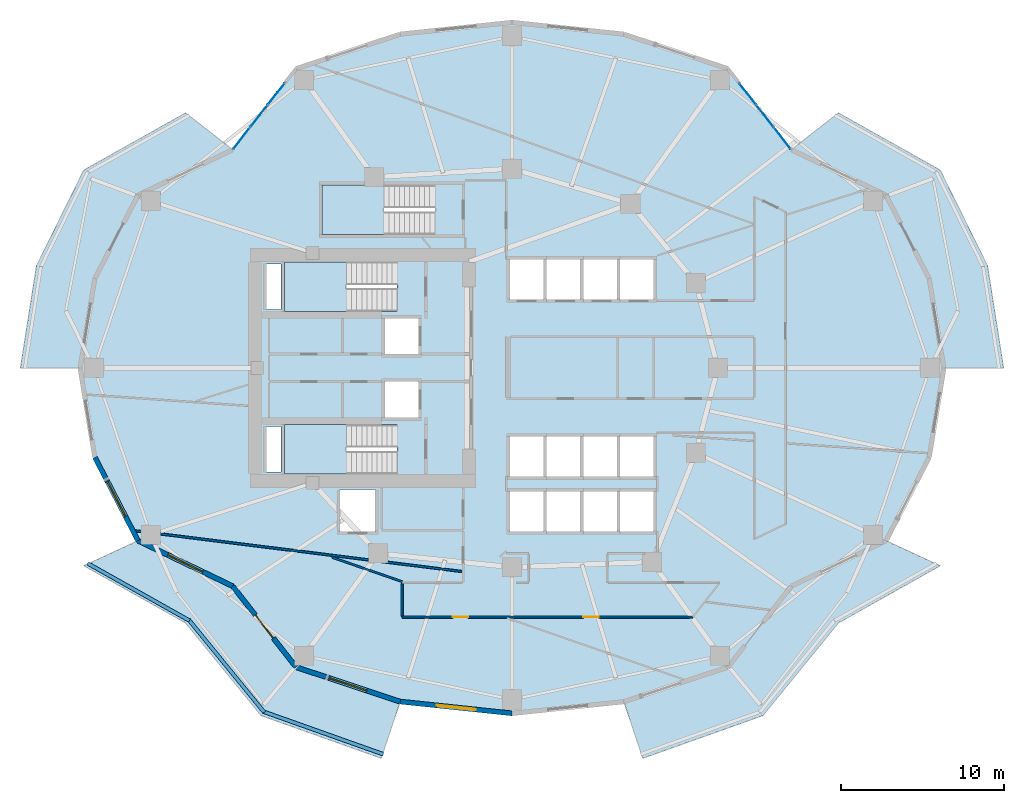
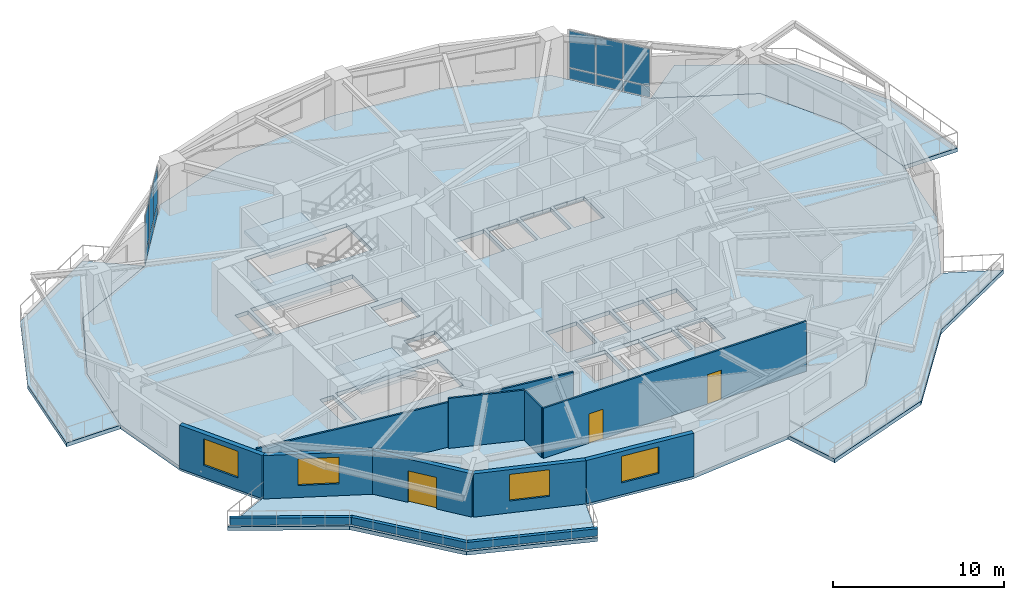
# One storey, part 4 of 12: 14 plates, 12 walls, 8 slabs, 4 windows, 3 doors, 7 openings, 5 elements without a shape of their own.
"""IFC4 building model written with IfcOpenShell, lengths in metres."""

from ifc_helpers import new_model, si_unit, direction, frame, frame_2d, origin, origin_2d, place, context, subcontext, project, spatial, polyline, rectangle, outline, extrude, material, layer, layer_set, type_object, element, fill, aggregate, save


model = new_model("IFC4")

# Units and contexts
model_context = context("Model", 3, precision=1e-05, world=origin(), true_north=direction((0.0, 1.0)))
body_context = subcontext(model_context, "Body", "Model", "MODEL_VIEW")
ifc_project = project(units=[si_unit("LENGTHUNIT", "METRE"), si_unit("AREAUNIT", "SQUARE_METRE"), si_unit("VOLUMEUNIT", "CUBIC_METRE"), si_unit("PLANEANGLEUNIT", "RADIAN"), si_unit("MASSUNIT", "GRAM", prefix="KILO")], contexts=[model_context])

# Site, building, storey
site_placement = place(None, origin())
site = spatial("IfcSite", under=ifc_project, at=site_placement, CompositionType="ELEMENT")
building_placement = place(site_placement, origin())
building = spatial("IfcBuilding", under=site, at=building_placement, Name="Kolvaren Gate Tower and Convention Centre", CompositionType="ELEMENT")
storey_placement = place(building_placement, frame((0.0, 0.0, 84.25)))
storey = spatial("IfcBuildingStorey", under=building, at=storey_placement, Name="L20", CompositionType="ELEMENT", Elevation=84.25)

# Plates
ifc_material_1 = material(Name="Perforated Anodized Bronze Aluminium Sheet 6 mm", Category="aluminium")
ifc_layer_1 = layer(ifc_material_1, 0.011962890625)
ifc_layer_set_1 = layer_set([ifc_layer_1], Name="Perforated Anodized Bronze Aluminium Sheet 6 mm")
plate_type_1 = type_object("IfcPlateType", Name="ARCH-PL-SCREEN-PERF", PredefinedType="SHEET", material=ifc_layer_set_1)
for number, where, z_axis, x_axis, name in (
    (1, (45.283935546875, 42.83837890625, 2.72998046875), (0.0, 0.0, 1.0), (0.616431370541, -0.787408639407, 0.0), "Tower L20 Perforated Bronze Solar Screen SS-03"),
    (2, (14.96630859375, 42.83837890625, 2.72998046875), (0.0, 0.0, 1.0), (0.61644236478, 0.787400032325, 0.0), "Tower L20 Perforated Bronze Solar Screen SS-08"),
):
    element("IfcPlate", number, at=place(storey_placement, frame(where, z_axis=z_axis, x_axis=x_axis)), inside=storey, type_object=plate_type_1, Name=name, PredefinedType="SHEET", context=body_context, shape_type="SweptSolid", body=[
        extrude(rectangle(XDim=2.60009765625, YDim=0.011962890625, at=origin_2d()), origin(), (0.0, 0.0, 1.0), 0.840087890625),
    ])

# Curtain wall, plates
ifc_material_2 = material(Name="Anodized Architectural Aluminium Alloy 6063-T6", Category="aluminium")
ifc_layer_2 = layer(ifc_material_2, 0.159912109375)
ifc_layer_set_2 = layer_set([ifc_layer_2], Name="Anodized Architectural Aluminium Alloy 6063-T6")
curtain_wall_type = type_object("IfcCurtainWallType", Name="CW-OFF-UNIT", PredefinedType="NOTDEFINED", material=ifc_layer_set_2)
curtain_wall_1_placement = place(storey_placement, origin())
curtain_wall_1 = element("IfcCurtainWall", 3, at=curtain_wall_1_placement, inside=storey, type_object=curtain_wall_type, Name="Tower L20 Unitised Curtain Wall CW-OFF-UNIT Bay 03", PredefinedType="NOTDEFINED")
ifc_material_3 = material(Name="Low-E Triple Insulated Glazing Unit 44 mm", Category="glass")
ifc_layer_3 = layer(ifc_material_3, 0.0439453125)
ifc_layer_set_3 = layer_set([ifc_layer_3], Name="Low-E Triple Insulated Glazing Unit 44 mm")
plate_type_2 = type_object("IfcPlateType", Name="CW-PL-IGU-44", PredefinedType="CURTAIN_PANEL", material=ifc_layer_set_3)
plate_1_placement = place(storey_placement, frame((44.55322265625, 43.771484375, 0.882568359375), z_axis=(0.0, 0.0, 1.0), x_axis=(0.61643432946, -0.787406322976, 0.0)))
plate_1 = element("IfcPlate", 4, at=plate_1_placement, type_object=plate_type_2, Name="CW-02 panel 1.2", PredefinedType="CURTAIN_PANEL", context=body_context, shape_type="SweptSolid", body=[
    extrude(rectangle(XDim=1.641845703125, YDim=0.0439453125, at=origin_2d()), origin(), (0.0, 0.0, 1.0), 2.62255859375),
])
plate_2_placement = place(storey_placement, frame((45.615478515625, 42.41455078125, 0.882568359375), z_axis=(0.0, 0.0, 1.0), x_axis=(0.61643432946, -0.787406322976, 0.0)))
plate_2 = element("IfcPlate", 5, at=plate_2_placement, type_object=plate_type_2, Name="CW-02 panel 2.2", PredefinedType="CURTAIN_PANEL", context=body_context, shape_type="SweptSolid", body=[
    extrude(rectangle(XDim=1.674560546875, YDim=0.0439453125, at=origin_2d()), origin(), (0.0, 0.0, 1.0), 2.62255859375),
])
plate_3_placement = place(storey_placement, frame((46.677734375, 41.0576171875, 0.882568359375), z_axis=(0.0, 0.0, 1.0), x_axis=(0.61643432946, -0.787406322976, 0.0)))
plate_3 = element("IfcPlate", 6, at=plate_3_placement, type_object=plate_type_2, Name="CW-02 panel 3.2", PredefinedType="CURTAIN_PANEL", context=body_context, shape_type="SweptSolid", body=[
    extrude(rectangle(XDim=1.641845703125, YDim=0.0439453125, at=origin_2d()), origin(), (0.0, 0.0, 1.0), 2.62255859375),
])

curtain_wall_2_placement = place(storey_placement, origin())
curtain_wall_2 = element("IfcCurtainWall", 7, at=curtain_wall_2_placement, inside=storey, type_object=curtain_wall_type, Name="Tower L20 Unitised Curtain Wall CW-OFF-UNIT Bay 08", PredefinedType="NOTDEFINED")
plate_4_placement = place(storey_placement, frame((13.572265625, 41.0576171875, 0.882568359375), z_axis=(0.0, 0.0, 1.0), x_axis=(0.616438471527, 0.787403080271, 0.0)))
plate_4 = element("IfcPlate", 8, at=plate_4_placement, type_object=plate_type_2, Name="CW-02 panel 1.2", PredefinedType="CURTAIN_PANEL", context=body_context, shape_type="SweptSolid", body=[
    extrude(rectangle(XDim=1.641845703125, YDim=0.0439453125, at=origin_2d()), origin(), (0.0, 0.0, 1.0), 2.62255859375),
])
plate_5_placement = place(storey_placement, frame((14.634521484375, 42.41455078125, 0.882568359375), z_axis=(0.0, 0.0, 1.0), x_axis=(0.616438471527, 0.787403080271, 0.0)))
plate_5 = element("IfcPlate", 9, at=plate_5_placement, type_object=plate_type_2, Name="CW-02 panel 2.2", PredefinedType="CURTAIN_PANEL", context=body_context, shape_type="SweptSolid", body=[
    extrude(rectangle(XDim=1.67431640625, YDim=0.0439453125, at=origin_2d()), origin(), (0.0, 0.0, 1.0), 2.62255859375),
])
plate_6_placement = place(storey_placement, frame((15.696533203125, 43.771240234375, 0.882568359375), z_axis=(0.0, 0.0, 1.0), x_axis=(0.616438471527, 0.787403080271, 0.0)))
plate_6 = element("IfcPlate", 10, at=plate_6_placement, type_object=plate_type_2, Name="CW-02 panel 3.2", PredefinedType="CURTAIN_PANEL", context=body_context, shape_type="SweptSolid", body=[
    extrude(rectangle(XDim=1.641845703125, YDim=0.0439453125, at=origin_2d()), origin(), (0.0, 0.0, 1.0), 2.62255859375),
])

# Plate
ifc_material_4 = material(Name="Solar-Control Laminated Curtain Glazing 36 mm", Category="glass")
ifc_layer_4 = layer(ifc_material_4, 0.035888671875)
ifc_layer_set_4 = layer_set([ifc_layer_4], Name="Solar-Control Laminated Curtain Glazing 36 mm")
plate_type_3 = type_object("IfcPlateType", Name="CW-PL-SPAN-36", PredefinedType="CURTAIN_PANEL", material=ifc_layer_set_4)
plate_7_placement = place(storey_placement, frame((44.55322265625, 43.771484375, 0.06494140625), z_axis=(0.0, 0.0, 1.0), x_axis=(0.61643432946, -0.787406322976, 0.0)))
plate_7 = element("IfcPlate", 11, at=plate_7_placement, type_object=plate_type_3, Name="CW-02 panel 1.1", PredefinedType="CURTAIN_PANEL", context=body_context, shape_type="SweptSolid", body=[
    extrude(rectangle(XDim=1.641845703125, YDim=0.035888671875, at=origin_2d()), origin(), (0.0, 0.0, 1.0), 0.75244140625),
])

plate_8_placement = place(storey_placement, frame((45.615478515625, 42.41455078125, 0.06494140625), z_axis=(0.0, 0.0, 1.0), x_axis=(0.61643432946, -0.787406322976, 0.0)))
plate_8 = element("IfcPlate", 12, at=plate_8_placement, type_object=plate_type_3, Name="CW-02 panel 2.1", PredefinedType="CURTAIN_PANEL", context=body_context, shape_type="SweptSolid", body=[
    extrude(rectangle(XDim=1.674560546875, YDim=0.035888671875, at=origin_2d()), origin(), (0.0, 0.0, 1.0), 0.75244140625),
])

plate_9_placement = place(storey_placement, frame((46.677734375, 41.0576171875, 0.06494140625), z_axis=(0.0, 0.0, 1.0), x_axis=(0.61643432946, -0.787406322976, 0.0)))
plate_9 = element("IfcPlate", 13, at=plate_9_placement, type_object=plate_type_3, Name="CW-02 panel 3.1", PredefinedType="CURTAIN_PANEL", context=body_context, shape_type="SweptSolid", body=[
    extrude(rectangle(XDim=1.641845703125, YDim=0.035888671875, at=origin_2d()), origin(), (0.0, 0.0, 1.0), 0.75244140625),
])

aggregate(curtain_wall_1, [plate_7, plate_1, plate_8, plate_2, plate_9, plate_3])

plate_10_placement = place(storey_placement, frame((13.572265625, 41.0576171875, 0.06494140625), z_axis=(0.0, 0.0, 1.0), x_axis=(0.616438471527, 0.787403080271, 0.0)))
plate_10 = element("IfcPlate", 14, at=plate_10_placement, type_object=plate_type_3, Name="CW-02 panel 1.1", PredefinedType="CURTAIN_PANEL", context=body_context, shape_type="SweptSolid", body=[
    extrude(rectangle(XDim=1.641845703125, YDim=0.035888671875, at=origin_2d()), origin(), (0.0, 0.0, 1.0), 0.75244140625),
])

plate_11_placement = place(storey_placement, frame((14.634521484375, 42.41455078125, 0.06494140625), z_axis=(0.0, 0.0, 1.0), x_axis=(0.616438471527, 0.787403080271, 0.0)))
plate_11 = element("IfcPlate", 15, at=plate_11_placement, type_object=plate_type_3, Name="CW-02 panel 2.1", PredefinedType="CURTAIN_PANEL", context=body_context, shape_type="SweptSolid", body=[
    extrude(rectangle(XDim=1.67431640625, YDim=0.035888671875, at=origin_2d()), origin(), (0.0, 0.0, 1.0), 0.75244140625),
])

plate_12_placement = place(storey_placement, frame((15.696533203125, 43.771240234375, 0.06494140625), z_axis=(0.0, 0.0, 1.0), x_axis=(0.616438471527, 0.787403080271, 0.0)))
plate_12 = element("IfcPlate", 16, at=plate_12_placement, type_object=plate_type_3, Name="CW-02 panel 3.1", PredefinedType="CURTAIN_PANEL", context=body_context, shape_type="SweptSolid", body=[
    extrude(rectangle(XDim=1.641845703125, YDim=0.035888671875, at=origin_2d()), origin(), (0.0, 0.0, 1.0), 0.75244140625),
])

aggregate(curtain_wall_2, [plate_10, plate_4, plate_11, plate_5, plate_12, plate_6])

# Slabs
ifc_material_5 = material(Name="Concrete C50/60", Category="concrete")
ifc_layer_5 = layer(ifc_material_5, 0.27001953125)
ifc_layer_set_5 = layer_set([ifc_layer_5], Name="Concrete C50/60")
slab_type_1 = type_object("IfcSlabType", Name="STR-SL-BALC-270", PredefinedType="FLOOR", material=ifc_layer_set_5)
slab_1_placement = place(storey_placement, frame((0.0, 0.0, -0.27001953125)))
element("IfcSlab", 17, at=slab_1_placement, inside=storey, type_object=slab_type_1, Name="Tower L20 Planted Balcony Terrace Slab 1 (East)", PredefinedType="FLOOR", context=body_context, shape_type="SweptSolid", body=[
    extrude(outline(polyline([(56.5625, 27.0), (55.66162109375, 32.47412109375), (53.0205078125, 37.574951171875), (47.223876953125, 40.360107421875), (50.10791015625, 42.613525390625), (56.34326171875, 39.109619140625), (59.240478515625, 33.2412109375), (60.222412109375, 27.0), (56.5625, 27.0)])), origin(), (0.0, 0.0, 1.0), 0.27001953125),
])
slab_2_placement = place(storey_placement, frame((0.0, 0.0, -0.27001953125)))
element("IfcSlab", 18, at=slab_2_placement, inside=storey, type_object=slab_type_1, Name="Tower L20 Planted Balcony Terrace Slab 2 (West)", PredefinedType="FLOOR", context=body_context, shape_type="SweptSolid", body=[
    extrude(outline(polyline([(13.026123046875, 40.360107421875), (7.2294921875, 37.574951171875), (4.58837890625, 32.47412109375), (3.6875, 27.0), (0.027587890625, 27.0), (1.009521484375, 33.2412109375), (3.90673828125, 39.109619140625), (10.14208984375, 42.613525390625), (13.026123046875, 40.360107421875)])), origin(), (0.0, 0.0, 1.0), 0.27001953125),
])
slab_3_placement = place(storey_placement, frame((0.0, 0.0, -0.27001953125)))
element("IfcSlab", 19, at=slab_3_placement, inside=storey, type_object=slab_type_1, Name="Tower L20 Planted Balcony Terrace Slab 3 (South)", PredefinedType="FLOOR", context=body_context, shape_type="SweptSolid", body=[
    extrude(outline(polyline([(7.2294921875, 16.425048828125), (13.026123046875, 13.639892578125), (16.90625, 8.68359375), (23.282470703125, 6.57080078125), (22.1201171875, 3.10009765625), (14.764404296875, 5.7158203125), (10.14208984375, 11.386474609375), (3.90673828125, 14.890380859375), (7.2294921875, 16.425048828125)])), origin(), (0.0, 0.0, 1.0), 0.27001953125),
])
slab_4_placement = place(storey_placement, frame((0.0, 0.0, -0.27001953125)))
element("IfcSlab", 20, at=slab_4_placement, inside=storey, type_object=slab_type_1, Name="Tower L20 Planted Balcony Terrace Slab 4 (South)", PredefinedType="FLOOR", context=body_context, shape_type="SweptSolid", body=[
    extrude(outline(polyline([(36.967529296875, 6.57080078125), (43.34375, 8.68359375), (47.223876953125, 13.639892578125), (53.0205078125, 16.425048828125), (56.34326171875, 14.890380859375), (50.10791015625, 11.386474609375), (45.485595703125, 5.7158203125), (38.1298828125, 3.10009765625), (36.967529296875, 6.57080078125)])), origin(), (0.0, 0.0, 1.0), 0.27001953125),
])
ifc_layer_6 = layer(ifc_material_5, 0.280029296875)
ifc_layer_set_6 = layer_set([ifc_layer_6], Name="Concrete C50/60")
slab_type_2 = type_object("IfcSlabType", Name="STR-SL-FLR-280", PredefinedType="FLOOR", material=ifc_layer_set_6)
slab_5_placement = place(storey_placement, frame((0.0, 0.0, -0.280029296875)))
element("IfcSlab", 21, at=slab_5_placement, inside=storey, type_object=slab_type_2, Name="Tower L20 Structural Floor Slab", PredefinedType="FLOOR", context=body_context, shape_type="SweptSolid", body=[
    extrude(outline(polyline([(56.5625, 27.0), (55.66162109375, 32.47412109375), (53.0205078125, 37.574951171875), (47.223876953125, 40.360107421875), (43.34375, 45.31640625), (36.967529296875, 47.42919921875), (30.125, 48.14990234375), (23.282470703125, 47.42919921875), (16.90625, 45.31640625), (13.026123046875, 40.360107421875), (7.2294921875, 37.574951171875), (4.58837890625, 32.47412109375), (3.6875, 27.0), (4.58837890625, 21.52587890625), (7.2294921875, 16.425048828125), (13.026123046875, 13.639892578125), (16.90625, 8.68359375), (23.282470703125, 6.57080078125), (30.125, 5.85009765625), (36.967529296875, 6.57080078125), (43.34375, 8.68359375), (47.223876953125, 13.639892578125), (53.0205078125, 16.425048828125), (55.66162109375, 21.52587890625), (56.5625, 27.0)]), holes=[polyline([(36.75, 33.64990234375), (38.800048828125, 33.64990234375), (38.800048828125, 31.199951171875), (36.75, 31.199951171875), (36.75, 33.64990234375)]), polyline([(36.75, 20.35009765625), (36.75, 22.800048828125), (38.800048828125, 22.800048828125), (38.800048828125, 20.35009765625), (36.75, 20.35009765625)]), polyline([(36.75, 17.0), (36.75, 19.449951171875), (38.800048828125, 19.449951171875), (38.800048828125, 17.0), (36.75, 17.0)]), polyline([(34.5, 33.64990234375), (36.550048828125, 33.64990234375), (36.550048828125, 31.199951171875), (34.5, 31.199951171875), (34.5, 33.64990234375)]), polyline([(34.5, 22.800048828125), (36.550048828125, 22.800048828125), (36.550048828125, 20.35009765625), (34.5, 20.35009765625), (34.5, 22.800048828125)]), polyline([(34.5, 17.0), (34.5, 19.449951171875), (36.550048828125, 19.449951171875), (36.550048828125, 17.0), (34.5, 17.0)]), polyline([(32.25, 31.199951171875), (32.25, 33.64990234375), (34.300048828125, 33.64990234375), (34.300048828125, 31.199951171875), (32.25, 31.199951171875)]), polyline([(32.25, 22.800048828125), (34.300048828125, 22.800048828125), (34.300048828125, 20.35009765625), (32.25, 20.35009765625), (32.25, 22.800048828125)]), polyline([(32.25, 17.0), (32.25, 19.449951171875), (34.300048828125, 19.449951171875), (34.300048828125, 17.0), (32.25, 17.0)]), polyline([(30.0, 31.199951171875), (30.0, 33.64990234375), (32.050048828125, 33.64990234375), (32.050048828125, 31.199951171875), (30.0, 31.199951171875)]), polyline([(30.0, 20.35009765625), (30.0, 22.800048828125), (32.050048828125, 22.800048828125), (32.050048828125, 20.35009765625), (30.0, 20.35009765625)]), polyline([(30.0, 17.0), (30.0, 19.449951171875), (32.050048828125, 19.449951171875), (32.050048828125, 17.0), (30.0, 17.0)]), polyline([(25.39990234375, 35.159912109375), (18.5, 35.159912109375), (18.5, 38.199951171875), (25.39990234375, 38.199951171875), (25.39990234375, 35.159912109375)]), polyline([(22.35009765625, 27.840087890625), (22.35009765625, 30.0400390625), (24.39990234375, 30.0400390625), (24.39990234375, 27.840087890625), (22.35009765625, 27.840087890625)]), polyline([(22.35009765625, 23.9599609375), (22.35009765625, 26.159912109375), (24.39990234375, 26.159912109375), (24.39990234375, 23.9599609375), (22.35009765625, 23.9599609375)]), polyline([(23.10009765625, 30.4599609375), (16.199951171875, 30.4599609375), (16.199951171875, 33.5), (23.10009765625, 33.5), (23.10009765625, 30.4599609375)]), polyline([(23.10009765625, 20.5), (16.199951171875, 20.5), (16.199951171875, 23.5400390625), (23.10009765625, 23.5400390625), (23.10009765625, 20.5)]), polyline([(19.60009765625, 17.0), (19.60009765625, 19.550048828125), (21.75, 19.550048828125), (21.75, 17.0), (19.60009765625, 17.0)]), polyline([(15.080078125, 23.419921875), (15.969970703125, 23.419921875), (15.969970703125, 20.6298828125), (15.080078125, 20.6298828125), (15.080078125, 23.419921875)]), polyline([(15.080078125, 30.580078125), (15.080078125, 33.3701171875), (15.969970703125, 33.3701171875), (15.969970703125, 30.580078125), (15.080078125, 30.580078125)])]), origin(), (0.0, 0.0, 1.0), 0.280029296875),
])

# Stair, slab
stair_type = type_object("IfcStairType", Name="STR-STAIR-CORE", PredefinedType="HALF_TURN_STAIR", material=ifc_material_5)
stair_1_placement = place(storey_placement, origin())
stair_1 = element("IfcStair", 22, at=stair_1_placement, inside=storey, type_object=stair_type, Name="L20 Tower North Exit Stair ST-T1", PredefinedType="HALF_TURN_STAIR")
ifc_layer_7 = layer(ifc_material_5, 0.199951171875)
ifc_layer_set_7 = layer_set([ifc_layer_7], Name="Concrete C50/60")
slab_type_3 = type_object("IfcSlabType", Name="STR-SL-LAND-200", PredefinedType="LANDING", material=ifc_layer_set_7)
slab_6_placement = place(storey_placement, frame((0.0, 0.0, 1.72509765625)))
slab_6 = element("IfcSlab", 23, at=slab_6_placement, type_object=slab_type_3, Name="ST-T1 landing 1", PredefinedType="LANDING", context=body_context, shape_type="SweptSolid", body=[
    extrude(outline(polyline([(20.0, 33.5), (16.199951171875, 33.5), (16.199951171875, 30.4599609375), (20.0, 30.4599609375), (20.0, 33.5)])), origin(), (0.0, 0.0, 1.0), 0.199951171875),
])
aggregate(stair_1, [slab_6])

stair_2_placement = place(storey_placement, origin())
stair_2 = element("IfcStair", 24, at=stair_2_placement, inside=storey, type_object=stair_type, Name="L20 Tower South Exit Stair ST-T2", PredefinedType="HALF_TURN_STAIR")
slab_7_placement = place(storey_placement, frame((0.0, 0.0, 1.72509765625)))
slab_7 = element("IfcSlab", 25, at=slab_7_placement, type_object=slab_type_3, Name="ST-T2 landing 1", PredefinedType="LANDING", context=body_context, shape_type="SweptSolid", body=[
    extrude(outline(polyline([(20.0, 23.5400390625), (16.199951171875, 23.5400390625), (16.199951171875, 20.5), (20.0, 20.5), (20.0, 23.5400390625)])), origin(), (0.0, 0.0, 1.0), 0.199951171875),
])
aggregate(stair_2, [slab_7])

stair_3_placement = place(storey_placement, origin())
stair_3 = element("IfcStair", 26, at=stair_3_placement, inside=storey, type_object=stair_type, Name="L20 Tower Mid-Zone Exit Stair ST-T3", PredefinedType="HALF_TURN_STAIR")
slab_8_placement = place(storey_placement, frame((0.0, 0.0, 1.72509765625)))
slab_8 = element("IfcSlab", 27, at=slab_8_placement, type_object=slab_type_3, Name="ST-T3 landing 1", PredefinedType="LANDING", context=body_context, shape_type="SweptSolid", body=[
    extrude(outline(polyline([(22.300048828125, 38.199951171875), (18.5, 38.199951171875), (18.5, 35.159912109375), (22.300048828125, 35.159912109375), (22.300048828125, 38.199951171875)])), origin(), (0.0, 0.0, 1.0), 0.199951171875),
])
aggregate(stair_3, [slab_8])

# Wall, openings, doors
ifc_material_6 = material(Name="Fire-Rated Acoustic Gypsum Stud Partition", Category="gypsum")
ifc_layer_8 = layer(ifc_material_6, 0.1201171875)
ifc_layer_set_8 = layer_set([ifc_layer_8], Name="Fire-Rated Acoustic Gypsum Stud Partition")
wall_type_1 = type_object("IfcWallType", Name="ARCH-WL-PART-120", PredefinedType="PARTITIONING", material=ifc_layer_set_8)
wall_1_placement = place(storey_placement, frame((23.39990234375, 11.75, 0.0), z_axis=(0.0, 0.0, 1.0), x_axis=(1.0, 0.0, 0.0)))
wall_1 = element("IfcWall", 28, at=wall_1_placement, inside=storey, type_object=wall_type_1, Name="Interior Partition WL-L20-INT-024", PredefinedType="PARTITIONING", context=body_context, shape_type="SweptSolid", body=[
    extrude(rectangle(XDim=17.798095703125, YDim=0.1201171875, at=frame_2d((8.89892578125, 0.0))), origin(), (0.0, 0.0, 1.0), 3.570068359375),
])
opening_1_placement = place(wall_1_placement, frame((3.09375, 0.0, 0.0)))
opening_1 = element("IfcOpeningElement", 29, at=opening_1_placement, cuts=wall_1, Name="Opening DR-01", PredefinedType="OPENING", context=body_context, shape_type="SweptSolid", body=[
    extrude(rectangle(XDim=0.949951171875, YDim=2.10009765625, at=frame_2d((0.47509765625, 1.050048828125))), frame((0.0, 0.070068359375, 0.0), z_axis=(0.0, -1.0, 0.0), x_axis=(1.0, 0.0, 0.0)), (0.0, 0.0, 1.0), 0.14013671875),
])
opening_2_placement = place(wall_1_placement, frame((11.09130859375, 0.0, 0.0)))
opening_2 = element("IfcOpeningElement", 30, at=opening_2_placement, cuts=wall_1, Name="Opening DR-01", PredefinedType="OPENING", context=body_context, shape_type="SweptSolid", body=[
    extrude(rectangle(XDim=0.949951171875, YDim=2.10009765625, at=frame_2d((0.47509765625, 1.050048828125))), frame((0.0, 0.070068359375, 0.0), z_axis=(0.0, -1.0, 0.0), x_axis=(1.0, 0.0, 0.0)), (0.0, 0.0, 1.0), 0.14013671875),
])
ifc_material_7 = material(Name="Painted Architectural Steelwork ASTM A500 Grade C 345 MPa", Category="steel")
door_type_1 = type_object("IfcDoorType", Name="ARCH-DR-RISER-950", OperationType="SINGLE_SWING_RIGHT", PredefinedType="DOOR", material=ifc_material_7)
door_1_placement = place(opening_1_placement, origin())
door_1 = element("IfcDoor", 31, at=door_1_placement, inside=storey, type_object=door_type_1, Name="Operations Support Staff Centre Door", OperationType="SINGLE_SWING_LEFT", OverallHeight=2.10009765625, OverallWidth=0.949951171875, PredefinedType="DOOR", context=body_context, shape_type="SweptSolid", body=[
    extrude(rectangle(XDim=0.949951171875, YDim=2.10009765625, at=frame_2d((0.47509765625, 1.050048828125))), frame((0.0, 0.02490234375, 0.0), z_axis=(0.0, -1.0, 0.0), x_axis=(1.0, 0.0, 0.0)), (0.0, 0.0, 1.0), 0.050048828125),
])
fill(opening_1, door_1)
door_2_placement = place(opening_2_placement, origin())
door_2 = element("IfcDoor", 32, at=door_2_placement, inside=storey, type_object=door_type_1, Name="First-Aid Crew Room Door", OperationType="SINGLE_SWING_RIGHT", OverallHeight=2.10009765625, OverallWidth=0.949951171875, PredefinedType="DOOR", context=body_context, shape_type="SweptSolid", body=[
    extrude(rectangle(XDim=0.949951171875, YDim=2.10009765625, at=frame_2d((0.47509765625, 1.050048828125))), frame((0.0, 0.02490234375, 0.0), z_axis=(0.0, -1.0, 0.0), x_axis=(1.0, 0.0, 0.0)), (0.0, 0.0, 1.0), 0.050048828125),
])
fill(opening_2, door_2)

# Walls
wall_2_placement = place(storey_placement, frame((23.39990234375, 11.81201171875, 0.0), z_axis=(0.0, 0.0, 1.0), x_axis=(0.0, 1.0, 0.0)))
element("IfcWall", 33, at=wall_2_placement, inside=storey, type_object=wall_type_1, Name="Interior Partition WL-L20-INT-025", PredefinedType="PARTITIONING", context=body_context, shape_type="SweptSolid", body=[
    extrude(rectangle(XDim=1.97607421875, YDim=0.1201171875, at=frame_2d((0.988037109375, 0.0))), origin(), (0.0, 0.0, 1.0), 3.570068359375),
])
wall_3_placement = place(storey_placement, frame((7.08935546875, 17.0263671875, 0.0), z_axis=(0.0, 0.0, 1.0), x_axis=(0.992316064114, -0.123728852337, 0.0)))
element("IfcWall", 34, at=wall_3_placement, inside=storey, type_object=wall_type_1, Name="Interior Partition WL-L20-INT-045", PredefinedType="PARTITIONING", context=body_context, shape_type="SweptSolid", body=[
    extrude(rectangle(XDim=20.138427734375, YDim=0.1201171875, at=frame_2d((10.0693359375, 0.0))), origin(), (0.0, 0.0, 1.0), 3.205078125),
])
wall_4_placement = place(storey_placement, frame((19.11865234375, 15.403564453125, 0.0), z_axis=(0.0, 0.0, 1.0), x_axis=(0.94466257089, -0.32804363606, 0.0)))
element("IfcWall", 35, at=wall_4_placement, inside=storey, type_object=wall_type_1, Name="Interior Partition WL-L20-INT-047", PredefinedType="PARTITIONING", context=body_context, shape_type="SweptSolid", body=[
    extrude(rectangle(XDim=4.546630859375, YDim=0.1201171875, at=frame_2d((2.2734375, 0.0))), origin(), (0.0, 0.0, 1.0), 3.570068359375),
])
ifc_material_8 = material(Name="Piedmont Cream Honed Limestone Cladding", Category="masonry")
ifc_layer_9 = layer(ifc_material_8, 0.219970703125)
ifc_layer_set_9 = layer_set([ifc_layer_9], Name="Piedmont Cream Honed Limestone Cladding")
wall_type_2 = type_object("IfcWallType", Name="ARCH-WL-PLANTER-220", PredefinedType="PARAPET", material=ifc_layer_set_9)
wall_5_placement = place(storey_placement, frame((4.14697265625, 15.034423828125, 0.0), z_axis=(0.0, 0.0, 1.0), x_axis=(0.871775109335, -0.489906275468, 0.0)))
element("IfcWall", 36, at=wall_5_placement, inside=storey, type_object=wall_type_2, Name="Vertical-Forest Balcony Stone Planter Kerb PK-L20-3.1", PredefinedType="PARAPET", context=body_context, shape_type="SweptSolid", body=[
    extrude(rectangle(XDim=7.152099609375, YDim=0.219970703125, at=frame_2d((3.576171875, 0.0))), origin(), (0.0, 0.0, 1.0), 0.52001953125),
])
wall_6_placement = place(storey_placement, frame((10.335693359375, 11.588623046875, 0.0), z_axis=(0.0, 0.0, 1.0), x_axis=(0.631819273026, -0.775115737315, 0.0)))
element("IfcWall", 37, at=wall_6_placement, inside=storey, type_object=wall_type_2, Name="Vertical-Forest Balcony Stone Planter Kerb PK-L20-3.2", PredefinedType="PARAPET", context=body_context, shape_type="SweptSolid", body=[
    extrude(rectangle(XDim=7.31591796875, YDim=0.219970703125, at=frame_2d((3.657958984375, 0.0))), origin(), (0.0, 0.0, 1.0), 0.52001953125),
])
wall_7_placement = place(storey_placement, frame((14.892822265625, 5.964599609375, 0.0), z_axis=(0.0, 0.0, 1.0), x_axis=(0.942203722205, -0.335040513764, 0.0)))
element("IfcWall", 38, at=wall_7_placement, inside=storey, type_object=wall_type_2, Name="Vertical-Forest Balcony Stone Planter Kerb PK-L20-3.3", PredefinedType="PARAPET", context=body_context, shape_type="SweptSolid", body=[
    extrude(rectangle(XDim=7.80712890625, YDim=0.219970703125, at=frame_2d((3.903564453125, 0.0))), origin(), (0.0, 0.0, 1.0), 0.52001953125),
])

# Wall, opening, window
ifc_layer_10 = layer(ifc_material_8, 0.300048828125)
ifc_layer_set_10 = layer_set([ifc_layer_10], Name="Piedmont Cream Honed Limestone Cladding")
wall_type_3 = type_object("IfcWallType", Name="ARCH-WL-STONE-300", PredefinedType="SOLIDWALL", material=ifc_layer_set_10)
wall_8_placement = place(storey_placement, frame((4.58837890625, 21.52587890625, 0.0), z_axis=(0.0, 0.0, 1.0), x_axis=(0.459800981414, -0.888021991558, 0.0)))
wall_8 = element("IfcWall", 39, at=wall_8_placement, inside=storey, type_object=wall_type_3, Name="Tower L20 Honed Stone Spandrel Wall EW-13", PredefinedType="SOLIDWALL", context=body_context, shape_type="SweptSolid", body=[
    extrude(rectangle(XDim=5.744140625, YDim=0.300048828125, at=frame_2d((2.8720703125, 0.0))), origin(), (0.0, 0.0, 1.0), 3.093017578125),
])
opening_3_placement = place(wall_8_placement, frame((1.672119140625, 0.0, 0.85009765625)))
opening_3 = element("IfcOpeningElement", 40, at=opening_3_placement, cuts=wall_8, Name="Opening W-01", PredefinedType="OPENING", context=body_context, shape_type="SweptSolid", body=[
    extrude(rectangle(XDim=2.39990234375, YDim=1.89990234375, at=frame_2d((1.199951171875, 0.949951171875))), frame((0.0, 0.159912109375, 0.0), z_axis=(0.0, -1.0, 0.0), x_axis=(1.0, 0.0, 0.0)), (0.0, 0.0, 1.0), 0.320068359375),
])
window_type = type_object("IfcWindowType", Name="ARCH-WN-OFF-2400", PartitioningType="SINGLE_PANEL", PredefinedType="WINDOW", material=ifc_material_3)
window_1_placement = place(opening_3_placement, origin())
window_1 = element("IfcWindow", 41, at=window_1_placement, inside=storey, type_object=window_type, Name="Tower L20 Punched Stone Facade Window W-13", OverallHeight=1.89990234375, OverallWidth=2.39990234375, PartitioningType="SINGLE_PANEL", PredefinedType="WINDOW", context=body_context, shape_type="SweptSolid", body=[
    extrude(rectangle(XDim=2.39990234375, YDim=1.89990234375, at=frame_2d((1.199951171875, 0.949951171875))), frame((0.0, 0.030029296875, 0.0), z_axis=(0.0, -1.0, 0.0), x_axis=(1.0, 0.0, 0.0)), (0.0, 0.0, 1.0), 0.06005859375),
])
fill(opening_3, window_1)

wall_9_placement = place(storey_placement, frame((7.2294921875, 16.425048828125, 0.0), z_axis=(0.0, 0.0, 1.0), x_axis=(0.901354747727, -0.433081538224, 0.0)))
wall_9 = element("IfcWall", 42, at=wall_9_placement, inside=storey, type_object=wall_type_3, Name="Tower L20 Honed Stone Spandrel Wall EW-14", PredefinedType="SOLIDWALL", context=body_context, shape_type="SweptSolid", body=[
    extrude(rectangle(XDim=6.430908203125, YDim=0.300048828125, at=frame_2d((3.21533203125, 0.0))), origin(), (0.0, 0.0, 1.0), 3.093017578125),
])
opening_4_placement = place(wall_9_placement, frame((2.014892578125, 0.0, 0.85009765625)))
opening_4 = element("IfcOpeningElement", 43, at=opening_4_placement, cuts=wall_9, Name="Opening W-01", PredefinedType="OPENING", context=body_context, shape_type="SweptSolid", body=[
    extrude(rectangle(XDim=2.39990234375, YDim=1.89990234375, at=frame_2d((1.199951171875, 0.949951171875))), frame((0.0, 0.159912109375, 0.0), z_axis=(0.0, -1.0, 0.0), x_axis=(1.0, 0.0, 0.0)), (0.0, 0.0, 1.0), 0.320068359375),
])
window_2_placement = place(opening_4_placement, origin())
window_2 = element("IfcWindow", 44, at=window_2_placement, inside=storey, type_object=window_type, Name="Tower L20 Punched Stone Facade Window W-14", OverallHeight=1.89990234375, OverallWidth=2.39990234375, PartitioningType="SINGLE_PANEL", PredefinedType="WINDOW", context=body_context, shape_type="SweptSolid", body=[
    extrude(rectangle(XDim=2.39990234375, YDim=1.89990234375, at=frame_2d((1.199951171875, 0.949951171875))), frame((0.0, 0.030029296875, 0.0), z_axis=(0.0, -1.0, 0.0), x_axis=(1.0, 0.0, 0.0)), (0.0, 0.0, 1.0), 0.06005859375),
])
fill(opening_4, window_2)

# Wall, opening, door
wall_10_placement = place(storey_placement, frame((13.026123046875, 13.639892578125, 0.0), z_axis=(0.0, 0.0, 1.0), x_axis=(0.616434798832, -0.78740595552, 0.0)))
wall_10 = element("IfcWall", 45, at=wall_10_placement, inside=storey, type_object=wall_type_3, Name="Tower L20 Honed Stone Spandrel Wall EW-15", PredefinedType="SOLIDWALL", context=body_context, shape_type="SweptSolid", body=[
    extrude(rectangle(XDim=6.29443359375, YDim=0.300048828125, at=frame_2d((3.147216796875, 0.0))), origin(), (0.0, 0.0, 1.0), 3.093017578125),
])
opening_5_placement = place(wall_10_placement, frame((2.2470703125, 0.0, 0.0)))
opening_5 = element("IfcOpeningElement", 46, at=opening_5_placement, cuts=wall_10, Name="Opening DB-01", PredefinedType="OPENING", context=body_context, shape_type="SweptSolid", body=[
    extrude(rectangle(XDim=1.800048828125, YDim=2.25, at=frame_2d((0.89990234375, 1.125))), frame((0.0, 0.159912109375, 0.0), z_axis=(0.0, -1.0, 0.0), x_axis=(1.0, 0.0, 0.0)), (0.0, 0.0, 1.0), 0.320068359375),
])
door_type_2 = type_object("IfcDoorType", Name="ARCH-DR-BALC-1800", OperationType="SLIDING_TO_LEFT", PredefinedType="DOOR", material=ifc_material_2)
door_3_placement = place(opening_5_placement, frame((1.800048828125, 0.0, 0.0), z_axis=(0.0, 0.0, 1.0), x_axis=(-1.0, 0.0, 0.0)))
door_3 = element("IfcDoor", 47, at=door_3_placement, inside=storey, type_object=door_type_2, Name="Planted Sky Terrace Access Door DB-L20-15", OperationType="SLIDING_TO_LEFT", OverallHeight=2.25, OverallWidth=1.800048828125, PredefinedType="DOOR", context=body_context, shape_type="SweptSolid", body=[
    extrude(rectangle(XDim=1.800048828125, YDim=2.25, at=frame_2d((0.89990234375, 1.125))), frame((0.0, 0.02490234375, 0.0), z_axis=(0.0, -1.0, 0.0), x_axis=(1.0, 0.0, 0.0)), (0.0, 0.0, 1.0), 0.050048828125),
])
fill(opening_5, door_3)

# Wall, opening, window
wall_11_placement = place(storey_placement, frame((16.90625, 8.68359375, 0.0), z_axis=(0.0, 0.0, 1.0), x_axis=(0.949245153629, -0.314537181127, 0.0)))
wall_11 = element("IfcWall", 48, at=wall_11_placement, inside=storey, type_object=wall_type_3, Name="Tower L20 Honed Stone Spandrel Wall EW-16", PredefinedType="SOLIDWALL", context=body_context, shape_type="SweptSolid", body=[
    extrude(rectangle(XDim=6.717041015625, YDim=0.300048828125, at=frame_2d((3.3583984375, 0.0))), origin(), (0.0, 0.0, 1.0), 3.093017578125),
])
opening_6_placement = place(wall_11_placement, frame((2.158935546875, 0.0, 0.85009765625)))
opening_6 = element("IfcOpeningElement", 49, at=opening_6_placement, cuts=wall_11, Name="Opening W-01", PredefinedType="OPENING", context=body_context, shape_type="SweptSolid", body=[
    extrude(rectangle(XDim=2.39990234375, YDim=1.89990234375, at=frame_2d((1.199951171875, 0.949951171875))), frame((0.0, 0.159912109375, 0.0), z_axis=(0.0, -1.0, 0.0), x_axis=(1.0, 0.0, 0.0)), (0.0, 0.0, 1.0), 0.320068359375),
])
window_3_placement = place(opening_6_placement, origin())
window_3 = element("IfcWindow", 50, at=window_3_placement, inside=storey, type_object=window_type, Name="Tower L20 Punched Stone Facade Window W-16", OverallHeight=1.89990234375, OverallWidth=2.39990234375, PartitioningType="SINGLE_PANEL", PredefinedType="WINDOW", context=body_context, shape_type="SweptSolid", body=[
    extrude(rectangle(XDim=2.39990234375, YDim=1.89990234375, at=frame_2d((1.199951171875, 0.949951171875))), frame((0.0, 0.030029296875, 0.0), z_axis=(0.0, -1.0, 0.0), x_axis=(1.0, 0.0, 0.0)), (0.0, 0.0, 1.0), 0.06005859375),
])
fill(opening_6, window_3)

wall_12_placement = place(storey_placement, frame((23.282470703125, 6.57080078125, 0.0), z_axis=(0.0, 0.0, 1.0), x_axis=(0.994498840295, -0.104747585419, 0.0)))
wall_12 = element("IfcWall", 51, at=wall_12_placement, inside=storey, type_object=wall_type_3, Name="Tower L20 Honed Stone Spandrel Wall EW-17", PredefinedType="SOLIDWALL", context=body_context, shape_type="SweptSolid", body=[
    extrude(rectangle(XDim=6.88037109375, YDim=0.300048828125, at=frame_2d((3.440185546875, 0.0))), origin(), (0.0, 0.0, 1.0), 3.093017578125),
])
opening_7_placement = place(wall_12_placement, frame((2.239990234375, 0.0, 0.85009765625)))
opening_7 = element("IfcOpeningElement", 52, at=opening_7_placement, cuts=wall_12, Name="Opening W-01", PredefinedType="OPENING", context=body_context, shape_type="SweptSolid", body=[
    extrude(rectangle(XDim=2.39990234375, YDim=1.89990234375, at=frame_2d((1.199951171875, 0.949951171875))), frame((0.0, 0.159912109375, 0.0), z_axis=(0.0, -1.0, 0.0), x_axis=(1.0, 0.0, 0.0)), (0.0, 0.0, 1.0), 0.320068359375),
])
window_4_placement = place(opening_7_placement, origin())
window_4 = element("IfcWindow", 53, at=window_4_placement, inside=storey, type_object=window_type, Name="Tower L20 Punched Stone Facade Window W-17", OverallHeight=1.89990234375, OverallWidth=2.39990234375, PartitioningType="SINGLE_PANEL", PredefinedType="WINDOW", context=body_context, shape_type="SweptSolid", body=[
    extrude(rectangle(XDim=2.39990234375, YDim=1.89990234375, at=frame_2d((1.199951171875, 0.949951171875))), frame((0.0, 0.030029296875, 0.0), z_axis=(0.0, -1.0, 0.0), x_axis=(1.0, 0.0, 0.0)), (0.0, 0.0, 1.0), 0.06005859375),
])
fill(opening_7, window_4)

save(model, "model.ifc")
